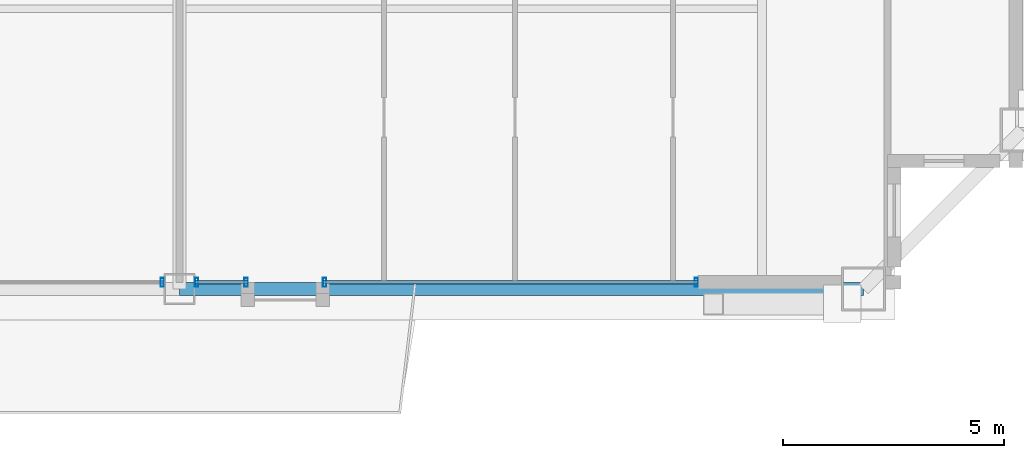
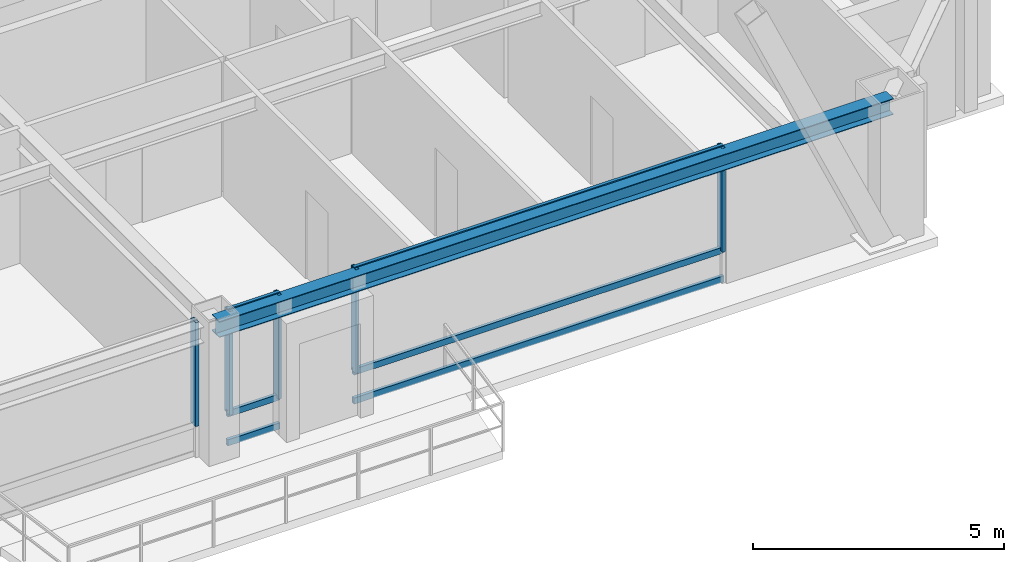
# One storey, part 9 of 34: 11 members, 1 beam, 3 elements without a shape of their own.
"""IFC4 building model written with IfcOpenShell, lengths in metres."""

from ifc_helpers import new_model, si_unit, direction, frame, origin, origin_2d, place, context, subcontext, project, spatial, hollow_rectangle, i_section, extrude, source, transform, mapped, material, layer, layer_set, material_profile, profile_set, type_object, element, aggregate, save


model = new_model("IFC4")

# Units and contexts
model_context = context("Model", 3, precision=1e-05, world=origin(), true_north=direction((0.0, 1.0)))
body_context = subcontext(model_context, "Body", "Model", "MODEL_VIEW")
ifc_project = project(units=[si_unit("LENGTHUNIT", "METRE"), si_unit("AREAUNIT", "SQUARE_METRE"), si_unit("VOLUMEUNIT", "CUBIC_METRE"), si_unit("PLANEANGLEUNIT", "RADIAN"), si_unit("MASSUNIT", "GRAM", prefix="KILO"), si_unit("THERMODYNAMICTEMPERATUREUNIT", "KELVIN"), si_unit("POWERUNIT", "WATT")], contexts=[model_context])

# Site, building, storey
site_placement = place(None, origin())
site = spatial("IfcSite", under=ifc_project, at=site_placement, CompositionType="ELEMENT")
building_placement = place(site_placement, origin())
building = spatial("IfcBuilding", under=site, at=building_placement, Name="Yuzanri Waterfront Tower", CompositionType="ELEMENT")
storey_placement = place(building_placement, frame((0.0, 0.0, 328.699951171875)))
storey = spatial("IfcBuildingStorey", under=building, at=storey_placement, Name="L88", CompositionType="ELEMENT", Elevation=328.699951171875)

# Beam
ifc_material_1 = material(Name="Steel Q355B", Category="steel")
ifc_material_profile_1 = material_profile(ifc_material_1, i_section(OverallWidth=0.300048828125, OverallDepth=0.389892578125, WebThickness=0.010009765625, FlangeThickness=0.01611328125, at=origin_2d()), Name="HM 390x300x10x16")
ifc_profile_set_1 = profile_set([ifc_material_profile_1], Name="Steel Q355B")
beam_type = type_object("IfcBeamType", Name="Perimeter Spandrel Q355B HM 390x300", PredefinedType="SPANDREL", material=ifc_profile_set_1)
shared_shape_1 = source(origin(), body_context, "Body", "SweptSolid", [
    extrude(i_section(OverallWidth=0.300048828125, OverallDepth=0.389892578125, WebThickness=0.010009765625, FlangeThickness=0.01611328125, at=origin_2d()), origin(), (0.0, 0.0, 1.0), 15.5),
])
beam_placement = place(storey_placement, frame((37.0, 6.699951171875, 3.0849609375), z_axis=(1.0, 0.0, 0.0), x_axis=(0.0, 1.0, 0.0)))
element("IfcBeam", 1, at=beam_placement, inside=storey, type_object=beam_type, Name="L88 Perimeter Spandrel S2-S3", PredefinedType="SPANDREL", context=body_context, shape_type="MappedRepresentation", body=[
    mapped(shared_shape_1, transform((0.0, 0.0, 0.0), scale=1.0)),
])

# Curtain wall, member
ifc_material_2 = material(Name="Anodized Architectural Bronze", Category="metal")
ifc_layer = layer(ifc_material_2, 0.159912109375)
ifc_layer_set = layer_set([ifc_layer], Name="Anodized Architectural Bronze")
curtain_wall_type = type_object("IfcCurtainWallType", Name="Anodized Bronze High-Rise Penthouse High-Wind Unitized Curtain Wall 6900", PredefinedType="NOTDEFINED", material=ifc_layer_set)
curtain_wall_1_placement = place(storey_placement, origin())
curtain_wall_1 = element("IfcCurtainWall", 2, at=curtain_wall_1_placement, inside=storey, type_object=curtain_wall_type, Name="L88 Curtain Wall CW-L88-SL", PredefinedType="NOTDEFINED")
ifc_material_3 = material(Name="Anodized Architectural Bronze", Category="metal")
ifc_material_profile_2 = material_profile(ifc_material_3, hollow_rectangle(XDim=0.074951171875, YDim=0.199951171875, WallThickness=0.00390625, at=origin_2d()), Name="CWM 75x200")
ifc_profile_set_2 = profile_set([ifc_material_profile_2], Name="Anodized Architectural Bronze")
member_type_1 = type_object("IfcMemberType", Name="Anodized Bronze Primary Curtain-Wall Mullion 75x200", PredefinedType="MULLION", material=ifc_profile_set_2)
shared_shape_2 = source(origin(), body_context, "Body", "SweptSolid", [
    extrude(hollow_rectangle(XDim=0.074951171875, YDim=0.199951171875, WallThickness=0.00390625, at=origin_2d()), origin(), (0.0, 0.0, 1.0), 2.52392578125),
])
member_1_placement = place(storey_placement, frame((36.610107421875, 6.85009765625, 0.756103515625), z_axis=(0.0, 0.0, 1.0), x_axis=(1.0, 0.0, 0.0)))
member_1 = element("IfcMember", 3, at=member_1_placement, type_object=member_type_1, Name="CW-L88-SL Upper Mullion 02", PredefinedType="MULLION", context=body_context, shape_type="MappedRepresentation", body=[
    mapped(shared_shape_2, transform((0.0, 0.0, 0.0), scale=1.0)),
])
aggregate(curtain_wall_1, [member_1])

# Curtain wall, members
curtain_wall_2_placement = place(storey_placement, origin())
curtain_wall_2 = element("IfcCurtainWall", 4, at=curtain_wall_2_placement, inside=storey, type_object=curtain_wall_type, Name="L88 Curtain Wall CW-L88-SR1", PredefinedType="NOTDEFINED")
member_2_placement = place(storey_placement, frame((37.389892578125, 6.85009765625, 0.756103515625), z_axis=(0.0, 0.0, 1.0), x_axis=(1.0, 0.0, 0.0)))
member_2 = element("IfcMember", 5, at=member_2_placement, type_object=member_type_1, Name="CW-L88-SR1 Upper Mullion 00", PredefinedType="MULLION", context=body_context, shape_type="MappedRepresentation", body=[
    mapped(shared_shape_2, transform((0.0, 0.0, 0.0), scale=1.0)),
])
member_3_placement = place(storey_placement, frame((38.510009765625, 6.85009765625, 0.756103515625), z_axis=(0.0, 0.0, 1.0), x_axis=(1.0, 0.0, 0.0)))
member_3 = element("IfcMember", 6, at=member_3_placement, type_object=member_type_1, Name="CW-L88-SR1 Upper Mullion 01", PredefinedType="MULLION", context=body_context, shape_type="MappedRepresentation", body=[
    mapped(shared_shape_2, transform((0.0, 0.0, 0.0), scale=1.0)),
])

curtain_wall_3_placement = place(storey_placement, origin())
curtain_wall_3 = element("IfcCurtainWall", 7, at=curtain_wall_3_placement, inside=storey, type_object=curtain_wall_type, Name="L88 Curtain Wall CW-L88-SR2", PredefinedType="NOTDEFINED")
member_4_placement = place(storey_placement, frame((40.2900390625, 6.85009765625, 0.756103515625), z_axis=(0.0, 0.0, 1.0), x_axis=(1.0, 0.0, 0.0)))
member_4 = element("IfcMember", 8, at=member_4_placement, type_object=member_type_1, Name="CW-L88-SR2 Upper Mullion 00", PredefinedType="MULLION", context=body_context, shape_type="MappedRepresentation", body=[
    mapped(shared_shape_2, transform((0.0, 0.0, 0.0), scale=1.0)),
])
member_5_placement = place(storey_placement, frame((48.7099609375, 6.85009765625, 0.756103515625), z_axis=(0.0, 0.0, 1.0), x_axis=(1.0, 0.0, 0.0)))
member_5 = element("IfcMember", 9, at=member_5_placement, type_object=member_type_1, Name="CW-L88-SR2 Upper Mullion 01", PredefinedType="MULLION", context=body_context, shape_type="MappedRepresentation", body=[
    mapped(shared_shape_2, transform((0.0, 0.0, 0.0), scale=1.0)),
])

# Member
ifc_material_4 = material(Name="Anodized Architectural Bronze", Category="metal")
ifc_material_profile_3 = material_profile(ifc_material_4, hollow_rectangle(XDim=0.074951171875, YDim=0.14990234375, WallThickness=0.00390625, at=origin_2d()), Name="CWT 75x150")
ifc_profile_set_3 = profile_set([ifc_material_profile_3], Name="Anodized Architectural Bronze")
member_type_2 = type_object("IfcMemberType", Name="Anodized Bronze Primary Curtain-Wall Transom 75x150", PredefinedType="USERDEFINED", material=ifc_profile_set_3)
shared_shape_3 = source(origin(), body_context, "Body", "SweptSolid", [
    extrude(hollow_rectangle(XDim=0.074951171875, YDim=0.14990234375, WallThickness=0.00390625, at=origin_2d()), origin(), (0.0, 0.0, 1.0), 1.199951171875),
])
member_6_placement = place(storey_placement, frame((37.35009765625, 6.85009765625, 0.050048828125), z_axis=(1.0, 0.0, 0.0), x_axis=(0.0, 1.0, 0.0)))
member_6 = element("IfcMember", 10, at=member_6_placement, type_object=member_type_2, Name="CW-L88-SR1 Transom 1", ObjectType="TRANSOM", PredefinedType="USERDEFINED", context=body_context, shape_type="MappedRepresentation", body=[
    mapped(shared_shape_3, transform((0.0, 0.0, 0.0), scale=1.0)),
])

member_7_placement = place(storey_placement, frame((37.35009765625, 6.85009765625, 0.754150390625), z_axis=(1.0, 0.0, 0.0), x_axis=(0.0, 1.0, 0.0)))
member_7 = element("IfcMember", 11, at=member_7_placement, type_object=member_type_2, Name="CW-L88-SR1 Transom 2", ObjectType="TRANSOM", PredefinedType="USERDEFINED", context=body_context, shape_type="MappedRepresentation", body=[
    mapped(shared_shape_3, transform((0.0, 0.0, 0.0), scale=1.0)),
])

member_8_placement = place(storey_placement, frame((37.35009765625, 6.85009765625, 3.22998046875), z_axis=(1.0, 0.0, 0.0), x_axis=(0.0, 1.0, 0.0)))
member_8 = element("IfcMember", 12, at=member_8_placement, type_object=member_type_2, Name="CW-L88-SR1 Transom 3", ObjectType="TRANSOM", PredefinedType="USERDEFINED", context=body_context, shape_type="MappedRepresentation", body=[
    mapped(shared_shape_3, transform((0.0, 0.0, 0.0), scale=1.0)),
])

aggregate(curtain_wall_2, [member_2, member_3, member_6, member_7, member_8])

shared_shape_4 = source(origin(), body_context, "Body", "SweptSolid", [
    extrude(hollow_rectangle(XDim=0.074951171875, YDim=0.14990234375, WallThickness=0.00390625, at=origin_2d()), origin(), (0.0, 0.0, 1.0), 8.5),
])
member_9_placement = place(storey_placement, frame((40.25, 6.85009765625, 0.050048828125), z_axis=(1.0, 0.0, 0.0), x_axis=(0.0, 1.0, 0.0)))
member_9 = element("IfcMember", 13, at=member_9_placement, type_object=member_type_2, Name="CW-L88-SR2 Transom 1", ObjectType="TRANSOM", PredefinedType="USERDEFINED", context=body_context, shape_type="MappedRepresentation", body=[
    mapped(shared_shape_4, transform((0.0, 0.0, 0.0), scale=1.0)),
])

member_10_placement = place(storey_placement, frame((40.25, 6.85009765625, 0.754150390625), z_axis=(1.0, 0.0, 0.0), x_axis=(0.0, 1.0, 0.0)))
member_10 = element("IfcMember", 14, at=member_10_placement, type_object=member_type_2, Name="CW-L88-SR2 Transom 2", ObjectType="TRANSOM", PredefinedType="USERDEFINED", context=body_context, shape_type="MappedRepresentation", body=[
    mapped(shared_shape_4, transform((0.0, 0.0, 0.0), scale=1.0)),
])

member_11_placement = place(storey_placement, frame((40.25, 6.85009765625, 3.22998046875), z_axis=(1.0, 0.0, 0.0), x_axis=(0.0, 1.0, 0.0)))
member_11 = element("IfcMember", 15, at=member_11_placement, type_object=member_type_2, Name="CW-L88-SR2 Transom 3", ObjectType="TRANSOM", PredefinedType="USERDEFINED", context=body_context, shape_type="MappedRepresentation", body=[
    mapped(shared_shape_4, transform((0.0, 0.0, 0.0), scale=1.0)),
])

aggregate(curtain_wall_3, [member_4, member_5, member_9, member_10, member_11])

save(model, "model.ifc")
